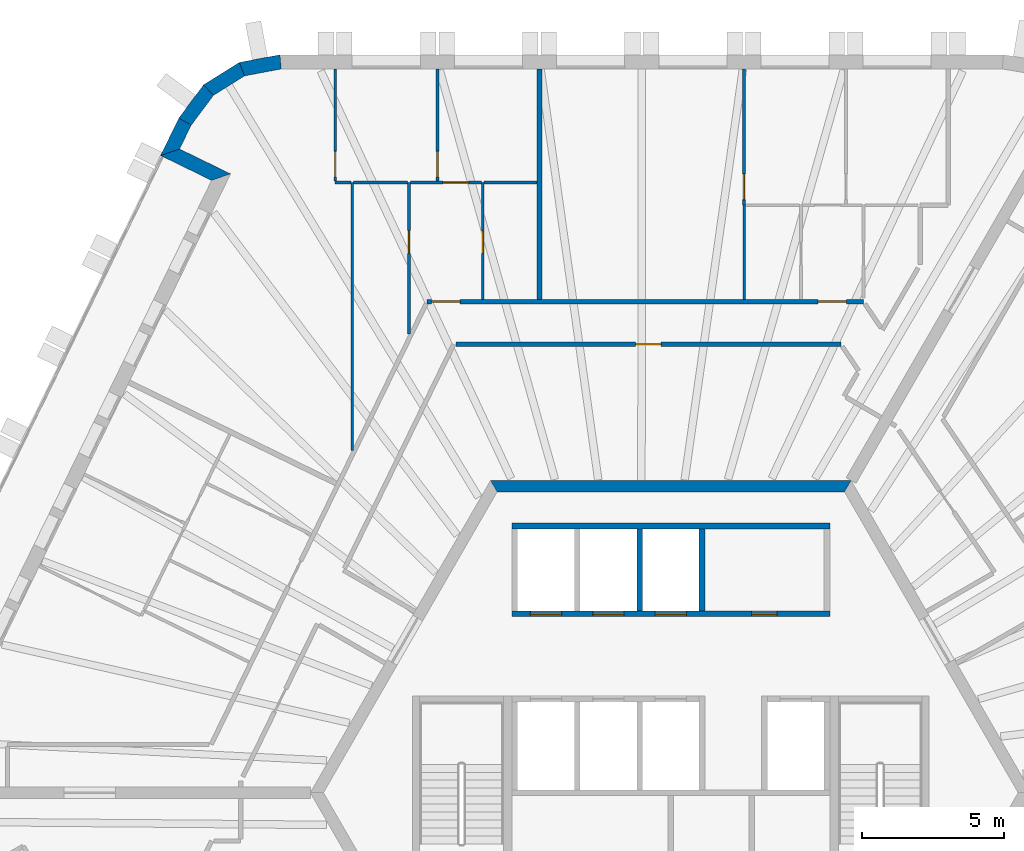
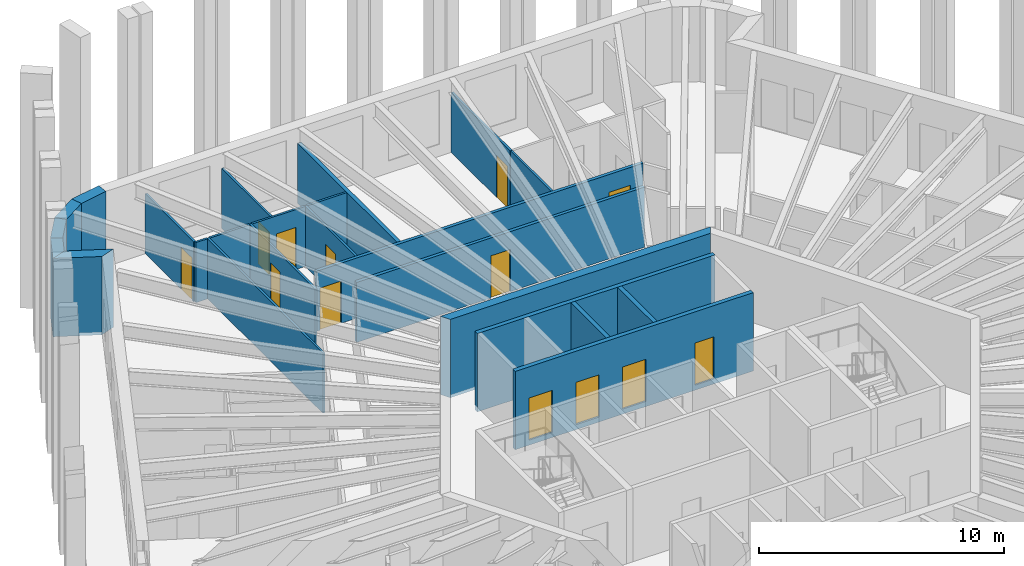
# One storey, part 9 of 13: 24 walls, 13 doors, 13 openings.
"""IFC4 building model written with IfcOpenShell, lengths in metres."""

from ifc_helpers import new_model, si_unit, direction, frame, frame_2d, origin, place, context, subcontext, project, spatial, polyline, rectangle, outline, extrude, material, layer, layer_set, type_object, element, fill, save


model = new_model("IFC4")

# Units and contexts
model_context = context("Model", 3, precision=1e-05, world=origin(), true_north=direction((0.0, 1.0)))
body_context = subcontext(model_context, "Body", "Model", "MODEL_VIEW")
ifc_project = project(units=[si_unit("LENGTHUNIT", "METRE"), si_unit("AREAUNIT", "SQUARE_METRE"), si_unit("VOLUMEUNIT", "CUBIC_METRE"), si_unit("PLANEANGLEUNIT", "RADIAN"), si_unit("MASSUNIT", "GRAM", prefix="KILO")], contexts=[model_context])

# Site, building, storey
site_placement = place(None, origin())
site = spatial("IfcSite", under=ifc_project, at=site_placement, CompositionType="ELEMENT")
building_placement = place(site_placement, origin())
building = spatial("IfcBuilding", under=site, at=building_placement, Name="Tarnside Tower", CompositionType="ELEMENT")
storey_placement = place(building_placement, frame((0.0, 0.0, 279.60009765625)))
storey = spatial("IfcBuildingStorey", under=building, at=storey_placement, Name="L67", CompositionType="ELEMENT", Elevation=279.60009765625)

# Walls
ifc_material_1 = material(Name="Gypsum board partition on steel studs", Category="steel")
ifc_layer_1 = layer(ifc_material_1, 0.10009765625)
ifc_layer_set_1 = layer_set([ifc_layer_1], Name="Bathroom wall 100")
wall_type_1 = type_object("IfcWallType", Name="Bathroom wall 100", PredefinedType="PARTITIONING", material=ifc_layer_set_1)
wall_1_placement = place(storey_placement, frame((2.586181640625, 17.375, 0.0), z_axis=(0.0, 0.0, 1.0), x_axis=(0.0, 1.0, 0.0)))
element("IfcWall", 1, at=wall_1_placement, inside=storey, type_object=wall_type_1, Name="Bathroom wall 22084", PredefinedType="PARTITIONING", context=body_context, shape_type="SweptSolid", body=[
    extrude(rectangle(XDim=3.324951171875, YDim=0.10009765625, at=frame_2d((1.66259765625, 0.0))), origin(), (0.0, 0.0, 1.0), 2.98779296875),
])
wall_2_placement = place(storey_placement, frame((-11.224853515625, 12.058837890625, 0.0), z_axis=(0.0, 0.0, 1.0), x_axis=(0.0, 1.0, 0.0)))
element("IfcWall", 2, at=wall_2_placement, inside=storey, type_object=wall_type_1, Name="Bathroom wall 22097", PredefinedType="PARTITIONING", context=body_context, shape_type="SweptSolid", body=[
    extrude(rectangle(XDim=9.441162109375, YDim=0.10009765625, at=frame_2d((4.720703125, 0.0))), origin(), (0.0, 0.0, 1.0), 2.98779296875),
])

# Wall, opening, door
wall_3_placement = place(storey_placement, frame((-6.624755859375, 17.375, 0.0), z_axis=(0.0, 0.0, 1.0), x_axis=(0.0, 1.0, 0.0)))
wall_3 = element("IfcWall", 3, at=wall_3_placement, inside=storey, type_object=wall_type_1, Name="Bathroom wall 22100", PredefinedType="PARTITIONING", context=body_context, shape_type="SweptSolid", body=[
    extrude(rectangle(XDim=4.125, YDim=0.10009765625, at=frame_2d((2.0625, 0.0))), origin(), (0.0, 0.0, 1.0), 2.98779296875),
])
opening_1_placement = place(wall_3_placement, frame((1.625, 0.0, 0.0)))
opening_1 = element("IfcOpeningElement", 4, at=opening_1_placement, cuts=wall_3, Name="Opening D-B1", PredefinedType="OPENING", context=body_context, shape_type="SweptSolid", body=[
    extrude(rectangle(XDim=0.800048828125, YDim=2.10009765625, at=frame_2d((0.39990234375, 1.050048828125))), frame((0.0, 0.06005859375, 0.0), z_axis=(0.0, -1.0, 0.0), x_axis=(1.0, 0.0, 0.0)), (0.0, 0.0, 1.0), 0.1201171875),
])
ifc_material_2 = material(Name="Timber door leaf", Category="wood")
door_type_1 = type_object("IfcDoorType", Name="Bathroom door 800", OperationType="NOTDEFINED", PredefinedType="DOOR", material=ifc_material_2)
door_1_placement = place(opening_1_placement, origin())
door_1 = element("IfcDoor", 5, at=door_1_placement, inside=storey, type_object=door_type_1, Name="Bathroom door 22013", OperationType="SINGLE_SWING_RIGHT", OverallHeight=2.10009765625, OverallWidth=0.800048828125, PredefinedType="DOOR", context=body_context, shape_type="SweptSolid", body=[
    extrude(rectangle(XDim=0.800048828125, YDim=2.10009765625, at=frame_2d((0.39990234375, 1.050048828125))), frame((0.0, 0.02490234375, 0.0), z_axis=(0.0, -1.0, 0.0), x_axis=(1.0, 0.0, 0.0)), (0.0, 0.0, 1.0), 0.050048828125),
])
fill(opening_1, door_1)

wall_4_placement = place(storey_placement, frame((-9.224853515625, 21.5, 0.0), z_axis=(0.0, 0.0, 1.0), x_axis=(0.0, -1.0, 0.0)))
wall_4 = element("IfcWall", 6, at=wall_4_placement, inside=storey, type_object=wall_type_1, Name="Bathroom wall 22103", PredefinedType="PARTITIONING", context=body_context, shape_type="SweptSolid", body=[
    extrude(rectangle(XDim=5.340576171875, YDim=0.10009765625, at=frame_2d((2.67041015625, 0.0))), origin(), (0.0, 0.0, 1.0), 2.98779296875),
])
opening_2_placement = place(wall_4_placement, frame((1.699951171875, 0.0, 0.0)))
opening_2 = element("IfcOpeningElement", 7, at=opening_2_placement, cuts=wall_4, Name="Opening D-B1", PredefinedType="OPENING", context=body_context, shape_type="SweptSolid", body=[
    extrude(rectangle(XDim=0.800048828125, YDim=2.10009765625, at=frame_2d((0.39990234375, 1.050048828125))), frame((0.0, 0.06005859375, 0.0), z_axis=(0.0, -1.0, 0.0), x_axis=(1.0, 0.0, 0.0)), (0.0, 0.0, 1.0), 0.1201171875),
])
door_2_placement = place(opening_2_placement, origin())
door_2 = element("IfcDoor", 8, at=door_2_placement, inside=storey, type_object=door_type_1, Name="Bathroom door 22020", OperationType="SINGLE_SWING_RIGHT", OverallHeight=2.10009765625, OverallWidth=0.800048828125, PredefinedType="DOOR", context=body_context, shape_type="SweptSolid", body=[
    extrude(rectangle(XDim=0.800048828125, YDim=2.10009765625, at=frame_2d((0.39990234375, 1.050048828125))), frame((0.0, 0.02490234375, 0.0), z_axis=(0.0, -1.0, 0.0), x_axis=(1.0, 0.0, 0.0)), (0.0, 0.0, 1.0), 0.050048828125),
])
fill(opening_2, door_2)

# Walls
wall_5_placement = place(storey_placement, frame((-4.71484375, 21.5, 0.0), z_axis=(0.0, 0.0, 1.0), x_axis=(-1.0, 0.0, 0.0)))
element("IfcWall", 9, at=wall_5_placement, inside=storey, type_object=wall_type_1, Name="Bathroom wall 22104", PredefinedType="PARTITIONING", context=body_context, shape_type="SweptSolid", body=[
    extrude(rectangle(XDim=1.862060546875, YDim=0.10009765625, at=frame_2d((0.93115234375, 0.0))), origin(), (0.0, 0.0, 1.0), 2.98779296875),
])
wall_6_placement = place(storey_placement, frame((-11.1748046875, 21.5, 0.0), z_axis=(0.0, 0.0, 1.0), x_axis=(1.0, 0.0, 0.0)))
element("IfcWall", 10, at=wall_6_placement, inside=storey, type_object=wall_type_1, Name="Bathroom wall 22106", PredefinedType="PARTITIONING", context=body_context, shape_type="SweptSolid", body=[
    extrude(rectangle(XDim=1.89990234375, YDim=0.10009765625, at=frame_2d((0.949951171875, 0.0))), origin(), (0.0, 0.0, 1.0), 2.98779296875),
])
ifc_material_3 = material(Name="Concrete C60/75", Category="concrete")
ifc_layer_2 = layer(ifc_material_3, 0.39990234375)
ifc_layer_set_2 = layer_set([ifc_layer_2], Name="Core wall Z3 400 C60/75")
wall_type_2 = type_object("IfcWallType", Name="Core wall Z3 400 C60/75", PredefinedType="SHEAR", material=ifc_layer_set_2)
wall_7_placement = place(storey_placement, frame((6.2353515625, 10.800048828125, -0.150146484375), z_axis=(0.0, 0.0, 1.0), x_axis=(-1.0, 0.0, 0.0)))
element("IfcWall", 11, at=wall_7_placement, inside=storey, type_object=wall_type_2, Name="L67 core wall face 1", PredefinedType="SHEAR", context=body_context, shape_type="SweptSolid", body=[
    extrude(outline(polyline([(-0.115478515625, -0.199951171875), (12.586181640625, -0.199951171875), (12.355224609375, 0.199951171875), (0.115478515625, 0.199951171875), (-0.115478515625, -0.199951171875)])), origin(), (0.0, 0.0, 1.0), 3.900146484375),
])

# Wall, openings, doors
ifc_layer_3 = layer(ifc_material_1, 0.14990234375)
ifc_layer_set_3 = layer_set([ifc_layer_3], Name="Corridor wall 150 EI 60")
wall_type_3 = type_object("IfcWallType", Name="Corridor wall 150 EI 60", PredefinedType="PARTITIONING", material=ifc_layer_set_3)
wall_8_placement = place(storey_placement, frame((6.7861328125, 17.300048828125, 0.0), z_axis=(0.0, 0.0, 1.0), x_axis=(-1.0, 0.0, 0.0)))
wall_8 = element("IfcWall", 12, at=wall_8_placement, inside=storey, type_object=wall_type_3, Name="Corridor wall 22001", PredefinedType="PARTITIONING", context=body_context, shape_type="SweptSolid", body=[
    extrude(rectangle(XDim=15.37109375, YDim=0.14990234375, at=frame_2d((7.685546875, 0.0))), origin(), (0.0, 0.0, 1.0), 2.98779296875),
])
opening_3_placement = place(wall_8_placement, frame((0.60009765625, 0.0, 0.0)))
opening_3 = element("IfcOpeningElement", 13, at=opening_3_placement, cuts=wall_8, Name="Opening D-E1", PredefinedType="OPENING", context=body_context, shape_type="SweptSolid", body=[
    extrude(rectangle(XDim=1.0, YDim=2.10009765625, at=frame_2d((0.5, 1.050048828125))), frame((0.0, 0.0849609375, 0.0), z_axis=(0.0, -1.0, 0.0), x_axis=(1.0, 0.0, 0.0)), (0.0, 0.0, 1.0), 0.169921875),
])
opening_4_placement = place(wall_8_placement, frame((14.2109375, 0.0, 0.0)))
opening_4 = element("IfcOpeningElement", 14, at=opening_4_placement, cuts=wall_8, Name="Opening D-E1", PredefinedType="OPENING", context=body_context, shape_type="SweptSolid", body=[
    extrude(rectangle(XDim=1.0, YDim=2.10009765625, at=frame_2d((0.5, 1.050048828125))), frame((0.0, 0.0849609375, 0.0), z_axis=(0.0, -1.0, 0.0), x_axis=(1.0, 0.0, 0.0)), (0.0, 0.0, 1.0), 0.169921875),
])
door_type_2 = type_object("IfcDoorType", Name="Unit entrance door 1000 FD30S", OperationType="NOTDEFINED", PredefinedType="DOOR", material=ifc_material_2)
door_3_placement = place(opening_3_placement, origin())
door_3 = element("IfcDoor", 15, at=door_3_placement, inside=storey, type_object=door_type_2, Name="Unit door 22001", OperationType="SINGLE_SWING_LEFT", OverallHeight=2.10009765625, OverallWidth=1.0, PredefinedType="DOOR", context=body_context, shape_type="SweptSolid", body=[
    extrude(rectangle(XDim=1.0, YDim=2.10009765625, at=frame_2d((0.5, 1.050048828125))), frame((0.0, 0.02490234375, 0.0), z_axis=(0.0, -1.0, 0.0), x_axis=(1.0, 0.0, 0.0)), (0.0, 0.0, 1.0), 0.050048828125),
])
fill(opening_3, door_3)
door_4_placement = place(opening_4_placement, origin())
door_4 = element("IfcDoor", 16, at=door_4_placement, inside=storey, type_object=door_type_2, Name="Unit door 22012", OperationType="SINGLE_SWING_LEFT", OverallHeight=2.10009765625, OverallWidth=1.0, PredefinedType="DOOR", context=body_context, shape_type="SweptSolid", body=[
    extrude(rectangle(XDim=1.0, YDim=2.10009765625, at=frame_2d((0.5, 1.050048828125))), frame((0.0, 0.02490234375, 0.0), z_axis=(0.0, -1.0, 0.0), x_axis=(1.0, 0.0, 0.0)), (0.0, 0.0, 1.0), 0.050048828125),
])
fill(opening_4, door_4)

# Wall, opening, door
wall_9_placement = place(storey_placement, frame((-7.564208984375, 15.800048828125, 0.0), z_axis=(0.0, 0.0, 1.0), x_axis=(1.0, 0.0, 0.0)))
wall_9 = element("IfcWall", 17, at=wall_9_placement, inside=storey, type_object=wall_type_3, Name="Corridor wall 22022", PredefinedType="PARTITIONING", context=body_context, shape_type="SweptSolid", body=[
    extrude(rectangle(XDim=13.552734375, YDim=0.14990234375, at=frame_2d((6.7763671875, 0.0))), origin(), (0.0, 0.0, 1.0), 2.98779296875),
])
opening_5_placement = place(wall_9_placement, frame((6.326416015625, 0.0, 0.0)))
opening_5 = element("IfcOpeningElement", 18, at=opening_5_placement, cuts=wall_9, Name="Opening D-S1", PredefinedType="OPENING", context=body_context, shape_type="SweptSolid", body=[
    extrude(rectangle(XDim=0.89990234375, YDim=2.10009765625, at=frame_2d((0.449951171875, 1.050048828125))), frame((0.0, 0.0849609375, 0.0), z_axis=(0.0, -1.0, 0.0), x_axis=(1.0, 0.0, 0.0)), (0.0, 0.0, 1.0), 0.169921875),
])
door_type_3 = type_object("IfcDoorType", Name="Service room door 900 FD30S", OperationType="NOTDEFINED", PredefinedType="DOOR", material=ifc_material_2)
door_5_placement = place(opening_5_placement, origin())
door_5 = element("IfcDoor", 19, at=door_5_placement, inside=storey, type_object=door_type_3, Name="Service door 22086", OperationType="SINGLE_SWING_LEFT", OverallHeight=2.10009765625, OverallWidth=0.89990234375, PredefinedType="DOOR", context=body_context, shape_type="SweptSolid", body=[
    extrude(rectangle(XDim=0.89990234375, YDim=2.10009765625, at=frame_2d((0.449951171875, 1.050048828125))), frame((0.0, 0.02490234375, 0.0), z_axis=(0.0, -1.0, 0.0), x_axis=(1.0, 0.0, 0.0)), (0.0, 0.0, 1.0), 0.050048828125),
])
fill(opening_5, door_5)

# Wall
ifc_layer_4 = layer(ifc_material_1, 0.179931640625)
ifc_layer_set_4 = layer_set([ifc_layer_4], Name="Demising wall 180 EI 60")
wall_type_4 = type_object("IfcWallType", Name="Demising wall 180 EI 60", PredefinedType="PARTITIONING", material=ifc_layer_set_4)
wall_10_placement = place(storey_placement, frame((-4.624755859375, 25.5, 0.0), z_axis=(0.0, 0.0, 1.0), x_axis=(0.0, -1.0, 0.0)))
element("IfcWall", 20, at=wall_10_placement, inside=storey, type_object=wall_type_4, Name="Demising wall 22086", PredefinedType="PARTITIONING", context=body_context, shape_type="SweptSolid", body=[
    extrude(rectangle(XDim=8.125, YDim=0.179931640625, at=frame_2d((4.0625, 0.0))), origin(), (0.0, 0.0, 1.0), 2.98779296875),
])

# Wall, openings, doors
ifc_material_4 = material(Name="Concrete C40/50", Category="concrete")
ifc_layer_5 = layer(ifc_material_4, 0.199951171875)
ifc_layer_set_5 = layer_set([ifc_layer_5], Name="Lift shaft wall 200 C40/50")
wall_type_5 = type_object("IfcWallType", Name="Lift shaft wall 200 C40/50", PredefinedType="SHEAR", material=ifc_layer_set_5)
wall_11_placement = place(storey_placement, frame((-5.60009765625, 6.300048828125, -0.25), z_axis=(0.0, 0.0, 1.0), x_axis=(1.0, 0.0, 0.0)))
wall_11 = element("IfcWall", 21, at=wall_11_placement, inside=storey, type_object=wall_type_5, Name="L67 lift shaft front wall R1", PredefinedType="SHEAR", context=body_context, shape_type="SweptSolid", body=[
    extrude(rectangle(XDim=11.2001953125, YDim=0.199951171875, at=frame_2d((5.60009765625, 0.0))), origin(), (0.0, 0.0, 1.0), 3.89990234375),
])
opening_6_placement = place(wall_11_placement, frame((8.449951171875, 0.0, 0.25)))
opening_6 = element("IfcOpeningElement", 22, at=opening_6_placement, cuts=wall_11, Name="Opening CD-room", PredefinedType="OPENING", context=body_context, shape_type="SweptSolid", body=[
    extrude(rectangle(XDim=0.89990234375, YDim=2.10009765625, at=frame_2d((0.449951171875, 1.050048828125))), frame((0.0, 0.10986328125, 0.0), z_axis=(0.0, -1.0, 0.0), x_axis=(1.0, 0.0, 0.0)), (0.0, 0.0, 1.0), 0.219970703125),
])
opening_7_placement = place(wall_11_placement, frame((0.64990234375, 0.0, 0.25)))
opening_7 = element("IfcOpeningElement", 23, at=opening_7_placement, cuts=wall_11, Name="Opening LD", PredefinedType="OPENING", context=body_context, shape_type="SweptSolid", body=[
    extrude(rectangle(XDim=1.10009765625, YDim=2.10009765625, at=frame_2d((0.550048828125, 1.050048828125))), frame((0.0, 0.10986328125, 0.0), z_axis=(0.0, -1.0, 0.0), x_axis=(1.0, 0.0, 0.0)), (0.0, 0.0, 1.0), 0.219970703125),
])
opening_8_placement = place(wall_11_placement, frame((2.85009765625, 0.0, 0.25)))
opening_8 = element("IfcOpeningElement", 24, at=opening_8_placement, cuts=wall_11, Name="Opening LD", PredefinedType="OPENING", context=body_context, shape_type="SweptSolid", body=[
    extrude(rectangle(XDim=1.10009765625, YDim=2.10009765625, at=frame_2d((0.550048828125, 1.050048828125))), frame((0.0, 0.10986328125, 0.0), z_axis=(0.0, -1.0, 0.0), x_axis=(1.0, 0.0, 0.0)), (0.0, 0.0, 1.0), 0.219970703125),
])
opening_9_placement = place(wall_11_placement, frame((5.050048828125, 0.0, 0.25)))
opening_9 = element("IfcOpeningElement", 25, at=opening_9_placement, cuts=wall_11, Name="Opening LD", PredefinedType="OPENING", context=body_context, shape_type="SweptSolid", body=[
    extrude(rectangle(XDim=1.10009765625, YDim=2.10009765625, at=frame_2d((0.550048828125, 1.050048828125))), frame((0.0, 0.10986328125, 0.0), z_axis=(0.0, -1.0, 0.0), x_axis=(1.0, 0.0, 0.0)), (0.0, 0.0, 1.0), 0.219970703125),
])
ifc_material_5 = material(Name="Stainless steel", Category="steel")
door_type_4 = type_object("IfcDoorType", Name="Lift landing door 1100x2100", OperationType="NOTDEFINED", PredefinedType="DOOR", material=ifc_material_5)
door_6_placement = place(opening_7_placement, origin())
door_6 = element("IfcDoor", 26, at=door_6_placement, inside=storey, type_object=door_type_4, Name="High-rise lift 1 landing door L67", OperationType="SLIDING_TO_LEFT", OverallHeight=2.10009765625, OverallWidth=1.10009765625, PredefinedType="DOOR", context=body_context, shape_type="SweptSolid", body=[
    extrude(rectangle(XDim=1.10009765625, YDim=2.10009765625, at=frame_2d((0.550048828125, 1.050048828125))), frame((0.0, 0.02490234375, 0.0), z_axis=(0.0, -1.0, 0.0), x_axis=(1.0, 0.0, 0.0)), (0.0, 0.0, 1.0), 0.050048828125),
])
fill(opening_7, door_6)
door_7_placement = place(opening_8_placement, origin())
door_7 = element("IfcDoor", 27, at=door_7_placement, inside=storey, type_object=door_type_4, Name="High-rise lift 2 landing door L67", OperationType="SLIDING_TO_LEFT", OverallHeight=2.10009765625, OverallWidth=1.10009765625, PredefinedType="DOOR", context=body_context, shape_type="SweptSolid", body=[
    extrude(rectangle(XDim=1.10009765625, YDim=2.10009765625, at=frame_2d((0.550048828125, 1.050048828125))), frame((0.0, 0.02490234375, 0.0), z_axis=(0.0, -1.0, 0.0), x_axis=(1.0, 0.0, 0.0)), (0.0, 0.0, 1.0), 0.050048828125),
])
fill(opening_8, door_7)
door_8_placement = place(opening_9_placement, origin())
door_8 = element("IfcDoor", 28, at=door_8_placement, inside=storey, type_object=door_type_4, Name="High-rise lift 3 landing door L67", OperationType="SLIDING_TO_LEFT", OverallHeight=2.10009765625, OverallWidth=1.10009765625, PredefinedType="DOOR", context=body_context, shape_type="SweptSolid", body=[
    extrude(rectangle(XDim=1.10009765625, YDim=2.10009765625, at=frame_2d((0.550048828125, 1.050048828125))), frame((0.0, 0.02490234375, 0.0), z_axis=(0.0, -1.0, 0.0), x_axis=(1.0, 0.0, 0.0)), (0.0, 0.0, 1.0), 0.050048828125),
])
fill(opening_9, door_8)
ifc_material_6 = material(Name="Steel fire door", Category="steel")
door_type_5 = type_object("IfcDoorType", Name="Room door FD60 900x2100", OperationType="NOTDEFINED", PredefinedType="DOOR", material=ifc_material_6)
door_9_placement = place(opening_6_placement, origin())
door_9 = element("IfcDoor", 29, at=door_9_placement, inside=storey, type_object=door_type_5, Name="L67 core room door FC1", OperationType="SINGLE_SWING_LEFT", OverallHeight=2.10009765625, OverallWidth=0.89990234375, PredefinedType="DOOR", context=body_context, shape_type="SweptSolid", body=[
    extrude(rectangle(XDim=0.89990234375, YDim=2.10009765625, at=frame_2d((0.449951171875, 1.050048828125))), frame((0.0, 0.02490234375, 0.0), z_axis=(0.0, -1.0, 0.0), x_axis=(1.0, 0.0, 0.0)), (0.0, 0.0, 1.0), 0.050048828125),
])
fill(opening_6, door_9)

# Walls
wall_12_placement = place(storey_placement, frame((-5.60009765625, 9.39990234375, -0.25), z_axis=(0.0, 0.0, 1.0), x_axis=(1.0, 0.0, 0.0)))
element("IfcWall", 30, at=wall_12_placement, inside=storey, type_object=wall_type_5, Name="L67 lift shaft back wall R1", PredefinedType="SHEAR", context=body_context, shape_type="SweptSolid", body=[
    extrude(rectangle(XDim=11.2001953125, YDim=0.199951171875, at=frame_2d((5.60009765625, 0.0))), origin(), (0.0, 0.0, 1.0), 3.89990234375),
])
for number, where, z_axis, x_axis, name in (
    (31, (-1.10009765625, 6.39990234375, -0.25), (0.0, 0.0, 1.0), (0.0, 1.0, 0.0), "L67 lift shaft partition R13"),
    (32, (1.10009765625, 6.39990234375, -0.25), (0.0, 0.0, 1.0), (0.0, 1.0, 0.0), "L67 lift shaft partition R14"),
):
    element("IfcWall", number, at=place(storey_placement, frame(where, z_axis=z_axis, x_axis=x_axis)), inside=storey, type_object=wall_type_5, Name=name, PredefinedType="SHEAR", context=body_context, shape_type="SweptSolid", body=[
        extrude(rectangle(XDim=2.900146484375, YDim=0.199951171875, at=frame_2d((1.4501953125, 0.0))), origin(), (0.0, 0.0, 1.0), 3.89990234375),
    ])
ifc_material_7 = material(Name="Dark zinc cladding")
ifc_layer_6 = layer(ifc_material_7, 0.10205078125)
ifc_material_8 = material(Name="Concrete C60/75 precast", Category="concrete")
ifc_layer_7 = layer(ifc_material_8, 0.298095703125)
ifc_material_9 = material(Name="Mineral wool insulation")
ifc_layer_8 = layer(ifc_material_9, 0.10009765625)
ifc_layer_set_6 = layer_set([ifc_layer_6, ifc_layer_7, ifc_layer_8], Name="Loggia wall 500 zinc faced")
wall_type_6 = type_object("IfcWallType", Name="Loggia wall 500 zinc faced", PredefinedType="SOLIDWALL", material=ifc_layer_set_6)
wall_13_placement = place(storey_placement, frame((-17.11767578125, 23.643798828125, -0.150146484375), z_axis=(0.0, 0.0, 1.0), x_axis=(-0.438319390103, -0.898819287877, 0.0)))
element("IfcWall", 33, at=wall_13_placement, inside=storey, type_object=wall_type_6, Name="Tube wall L67 F2 stub 04", PredefinedType="SOLIDWALL", context=body_context, shape_type="SweptSolid", body=[
    extrude(outline(polyline([(-0.0234375, -0.25), (1.44970703125, -0.25), (0.94970703125, 0.25), (0.0234375, 0.25), (-0.0234375, -0.25)])), origin(), (0.0, 0.0, 1.0), 3.900146484375),
])
wall_14_placement = place(storey_placement, frame((-17.6435546875, 22.5654296875, -0.150146484375), z_axis=(0.0, 0.0, 1.0), x_axis=(0.898754367686, -0.43845249066, 0.0)))
element("IfcWall", 34, at=wall_14_placement, inside=storey, type_object=wall_type_6, Name="Tube wall L67 F2 return 05", PredefinedType="SOLIDWALL", context=body_context, shape_type="SweptSolid", body=[
    extrude(outline(polyline([(-0.25, -0.25), (1.75, -0.25), (2.25, 0.25), (0.25, 0.25), (-0.25, -0.25)])), origin(), (0.0, 0.0, 1.0), 3.900146484375),
])

# Wall, opening, door
ifc_layer_9 = layer(ifc_material_1, 0.10009765625)
ifc_layer_set_7 = layer_set([ifc_layer_9], Name="Partition 100")
wall_type_7 = type_object("IfcWallType", Name="Partition 100", PredefinedType="PARTITIONING", material=ifc_layer_set_7)
wall_15_placement = place(storey_placement, frame((2.5751953125, 20.699951171875, 0.0), z_axis=(0.0, 0.0, 1.0), x_axis=(0.0, 1.0, 0.0)))
wall_15 = element("IfcWall", 35, at=wall_15_placement, inside=storey, type_object=wall_type_7, Name="Partition wall 22085", PredefinedType="PARTITIONING", context=body_context, shape_type="SweptSolid", body=[
    extrude(rectangle(XDim=4.800048828125, YDim=0.10009765625, at=frame_2d((2.39990234375, 0.0))), origin(), (0.0, 0.0, 1.0), 2.98779296875),
])
opening_10_placement = place(wall_15_placement, frame((0.199951171875, 0.0, 0.0)))
opening_10 = element("IfcOpeningElement", 36, at=opening_10_placement, cuts=wall_15, Name="Opening D-I1", PredefinedType="OPENING", context=body_context, shape_type="SweptSolid", body=[
    extrude(rectangle(XDim=0.89990234375, YDim=2.10009765625, at=frame_2d((0.449951171875, 1.050048828125))), frame((0.0, 0.06005859375, 0.0), z_axis=(0.0, -1.0, 0.0), x_axis=(1.0, 0.0, 0.0)), (0.0, 0.0, 1.0), 0.1201171875),
])
door_type_6 = type_object("IfcDoorType", Name="Internal door 900", OperationType="NOTDEFINED", PredefinedType="DOOR", material=ifc_material_2)
door_10_placement = place(opening_10_placement, origin())
door_10 = element("IfcDoor", 37, at=door_10_placement, inside=storey, type_object=door_type_6, Name="Internal door 22010", OperationType="SINGLE_SWING_RIGHT", OverallHeight=2.10009765625, OverallWidth=0.89990234375, PredefinedType="DOOR", context=body_context, shape_type="SweptSolid", body=[
    extrude(rectangle(XDim=0.89990234375, YDim=2.10009765625, at=frame_2d((0.449951171875, 1.050048828125))), frame((0.0, 0.02490234375, 0.0), z_axis=(0.0, -1.0, 0.0), x_axis=(1.0, 0.0, 0.0)), (0.0, 0.0, 1.0), 0.050048828125),
])
fill(opening_10, door_10)

# Wall
wall_16_placement = place(storey_placement, frame((-11.272705078125, 21.5, 0.0), z_axis=(0.0, 0.0, 1.0), x_axis=(-1.0, 0.0, 0.0)))
element("IfcWall", 38, at=wall_16_placement, inside=storey, type_object=wall_type_7, Name="Partition wall 22095", PredefinedType="PARTITIONING", context=body_context, shape_type="SweptSolid", body=[
    extrude(rectangle(XDim=0.552001953125, YDim=0.10009765625, at=frame_2d((0.27587890625, 0.0))), origin(), (0.0, 0.0, 1.0), 2.98779296875),
])

# Wall, opening, door
wall_17_placement = place(storey_placement, frame((-11.82470703125, 21.550048828125, 0.0), z_axis=(0.0, 0.0, 1.0), x_axis=(0.0, 1.0, 0.0)))
wall_17 = element("IfcWall", 39, at=wall_17_placement, inside=storey, type_object=wall_type_7, Name="Partition wall 22096", PredefinedType="PARTITIONING", context=body_context, shape_type="SweptSolid", body=[
    extrude(rectangle(XDim=3.949951171875, YDim=0.10009765625, at=frame_2d((1.97509765625, 0.0))), origin(), (0.0, 0.0, 1.0), 2.98779296875),
])
opening_11_placement = place(wall_17_placement, frame((0.14990234375, 0.0, 0.0)))
opening_11 = element("IfcOpeningElement", 40, at=opening_11_placement, cuts=wall_17, Name="Opening D-I1", PredefinedType="OPENING", context=body_context, shape_type="SweptSolid", body=[
    extrude(rectangle(XDim=0.89990234375, YDim=2.10009765625, at=frame_2d((0.449951171875, 1.050048828125))), frame((0.0, 0.06005859375, 0.0), z_axis=(0.0, -1.0, 0.0), x_axis=(1.0, 0.0, 0.0)), (0.0, 0.0, 1.0), 0.1201171875),
])
door_11_placement = place(opening_11_placement, origin())
door_11 = element("IfcDoor", 41, at=door_11_placement, inside=storey, type_object=door_type_6, Name="Internal door 22019", OperationType="SINGLE_SWING_RIGHT", OverallHeight=2.10009765625, OverallWidth=0.89990234375, PredefinedType="DOOR", context=body_context, shape_type="SweptSolid", body=[
    extrude(rectangle(XDim=0.89990234375, YDim=2.10009765625, at=frame_2d((0.449951171875, 1.050048828125))), frame((0.0, 0.02490234375, 0.0), z_axis=(0.0, -1.0, 0.0), x_axis=(1.0, 0.0, 0.0)), (0.0, 0.0, 1.0), 0.050048828125),
])
fill(opening_11, door_11)

wall_18_placement = place(storey_placement, frame((-6.6728515625, 21.5, 0.0), z_axis=(0.0, 0.0, 1.0), x_axis=(-1.0, 0.0, 0.0)))
wall_18 = element("IfcWall", 42, at=wall_18_placement, inside=storey, type_object=wall_type_7, Name="Partition wall 22101", PredefinedType="PARTITIONING", context=body_context, shape_type="SweptSolid", body=[
    extrude(rectangle(XDim=2.50390625, YDim=0.10009765625, at=frame_2d((1.251953125, 0.0))), origin(), (0.0, 0.0, 1.0), 2.98779296875),
])
opening_12_placement = place(wall_18_placement, frame((0.451904296875, 0.0, 0.0)))
opening_12 = element("IfcOpeningElement", 43, at=opening_12_placement, cuts=wall_18, Name="Opening D-I1", PredefinedType="OPENING", context=body_context, shape_type="SweptSolid", body=[
    extrude(rectangle(XDim=0.89990234375, YDim=2.10009765625, at=frame_2d((0.449951171875, 1.050048828125))), frame((0.0, 0.06005859375, 0.0), z_axis=(0.0, -1.0, 0.0), x_axis=(1.0, 0.0, 0.0)), (0.0, 0.0, 1.0), 0.1201171875),
])
door_12_placement = place(opening_12_placement, origin())
door_12 = element("IfcDoor", 44, at=door_12_placement, inside=storey, type_object=door_type_6, Name="Internal door 22015", OperationType="SINGLE_SWING_LEFT", OverallHeight=2.10009765625, OverallWidth=0.89990234375, PredefinedType="DOOR", context=body_context, shape_type="SweptSolid", body=[
    extrude(rectangle(XDim=0.89990234375, YDim=2.10009765625, at=frame_2d((0.449951171875, 1.050048828125))), frame((0.0, 0.02490234375, 0.0), z_axis=(0.0, -1.0, 0.0), x_axis=(1.0, 0.0, 0.0)), (0.0, 0.0, 1.0), 0.050048828125),
])
fill(opening_12, door_12)

wall_19_placement = place(storey_placement, frame((-8.224853515625, 25.5, 0.0), z_axis=(0.0, 0.0, 1.0), x_axis=(0.0, -1.0, 0.0)))
wall_19 = element("IfcWall", 45, at=wall_19_placement, inside=storey, type_object=wall_type_7, Name="Partition wall 22105", PredefinedType="PARTITIONING", context=body_context, shape_type="SweptSolid", body=[
    extrude(rectangle(XDim=3.949951171875, YDim=0.10009765625, at=frame_2d((1.97509765625, 0.0))), origin(), (0.0, 0.0, 1.0), 2.98779296875),
])
opening_13_placement = place(wall_19_placement, frame((2.89990234375, 0.0, 0.0)))
opening_13 = element("IfcOpeningElement", 46, at=opening_13_placement, cuts=wall_19, Name="Opening D-I1", PredefinedType="OPENING", context=body_context, shape_type="SweptSolid", body=[
    extrude(rectangle(XDim=0.89990234375, YDim=2.10009765625, at=frame_2d((0.449951171875, 1.050048828125))), frame((0.0, 0.06005859375, 0.0), z_axis=(0.0, -1.0, 0.0), x_axis=(1.0, 0.0, 0.0)), (0.0, 0.0, 1.0), 0.1201171875),
])
door_13_placement = place(opening_13_placement, origin())
door_13 = element("IfcDoor", 47, at=door_13_placement, inside=storey, type_object=door_type_6, Name="Internal door 22018", OperationType="SINGLE_SWING_RIGHT", OverallHeight=2.10009765625, OverallWidth=0.89990234375, PredefinedType="DOOR", context=body_context, shape_type="SweptSolid", body=[
    extrude(rectangle(XDim=0.89990234375, YDim=2.10009765625, at=frame_2d((0.449951171875, 1.050048828125))), frame((0.0, 0.02490234375, 0.0), z_axis=(0.0, -1.0, 0.0), x_axis=(1.0, 0.0, 0.0)), (0.0, 0.0, 1.0), 0.050048828125),
])
fill(opening_13, door_13)

# Walls
ifc_material_10 = material(Name="Facing brick", Category="masonry")
ifc_layer_10 = layer(ifc_material_10, 0.10205078125)
ifc_layer_11 = layer(ifc_material_8, 0.298095703125)
ifc_layer_12 = layer(ifc_material_9, 0.10009765625)
ifc_layer_set_8 = layer_set([ifc_layer_10, ifc_layer_11, ifc_layer_12], Name="Tube wall 500 brick faced")
wall_type_8 = type_object("IfcWallType", Name="Tube wall 500 brick faced", PredefinedType="SOLIDWALL", material=ifc_layer_set_8)
wall_20_placement = place(storey_placement, frame((-13.7470703125, 25.75, -0.150146484375), z_axis=(0.0, 0.0, 1.0), x_axis=(-0.982736538448, -0.185010529429, 0.0)))
element("IfcWall", 48, at=wall_20_placement, inside=storey, type_object=wall_type_8, Name="Tube wall L67 F1 chord 01", PredefinedType="SOLIDWALL", context=body_context, shape_type="SweptSolid", body=[
    extrude(outline(polyline([(-0.0234375, -0.25), (1.435302734375, -0.25), (1.341064453125, 0.25), (0.0234375, 0.25), (-0.0234375, -0.25)])), origin(), (0.0, 0.0, 1.0), 3.900146484375),
])
wall_21_placement = place(storey_placement, frame((-15.111328125, 25.4931640625, -0.150146484375), z_axis=(0.0, 0.0, 1.0), x_axis=(-0.847978544293, -0.530030554231, 0.0)))
element("IfcWall", 49, at=wall_21_placement, inside=storey, type_object=wall_type_8, Name="Tube wall L67 F1 chord 02", PredefinedType="SOLIDWALL", context=body_context, shape_type="SweptSolid", body=[
    extrude(outline(polyline([(-0.047119140625, -0.25), (1.435302734375, -0.25), (1.341064453125, 0.25), (0.047119140625, 0.25), (-0.047119140625, -0.25)])), origin(), (0.0, 0.0, 1.0), 3.900146484375),
])
wall_22_placement = place(storey_placement, frame((-16.28857421875, 24.75732421875, -0.150146484375), z_axis=(0.0, 0.0, 1.0), x_axis=(-0.597210785942, -0.802084332945, 0.0)))
element("IfcWall", 50, at=wall_22_placement, inside=storey, type_object=wall_type_8, Name="Tube wall L67 F1 chord 03", PredefinedType="SOLIDWALL", context=body_context, shape_type="SweptSolid", body=[
    extrude(outline(polyline([(-0.047119140625, -0.25), (1.41162109375, -0.25), (1.36474609375, 0.25), (0.047119140625, 0.25), (-0.047119140625, -0.25)])), origin(), (0.0, 0.0, 1.0), 3.900146484375),
])

save(model, "model.ifc")
